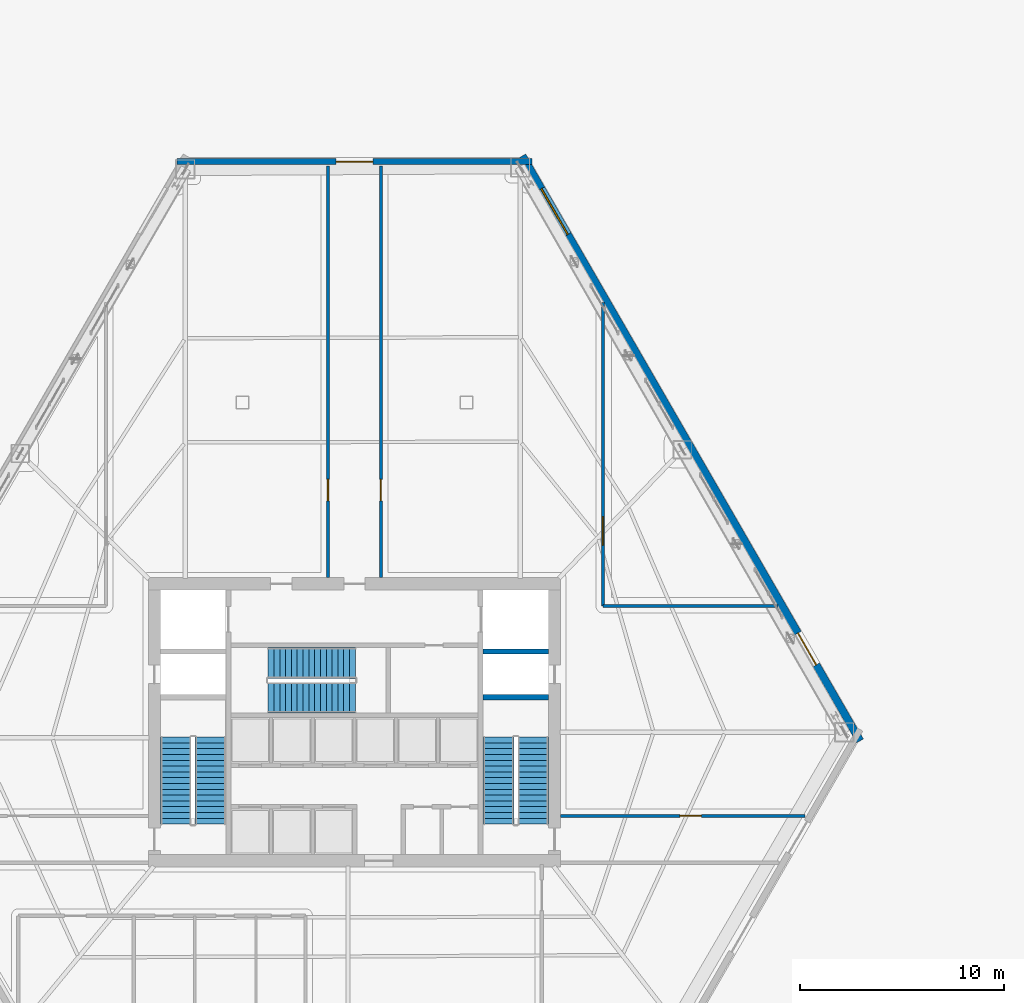
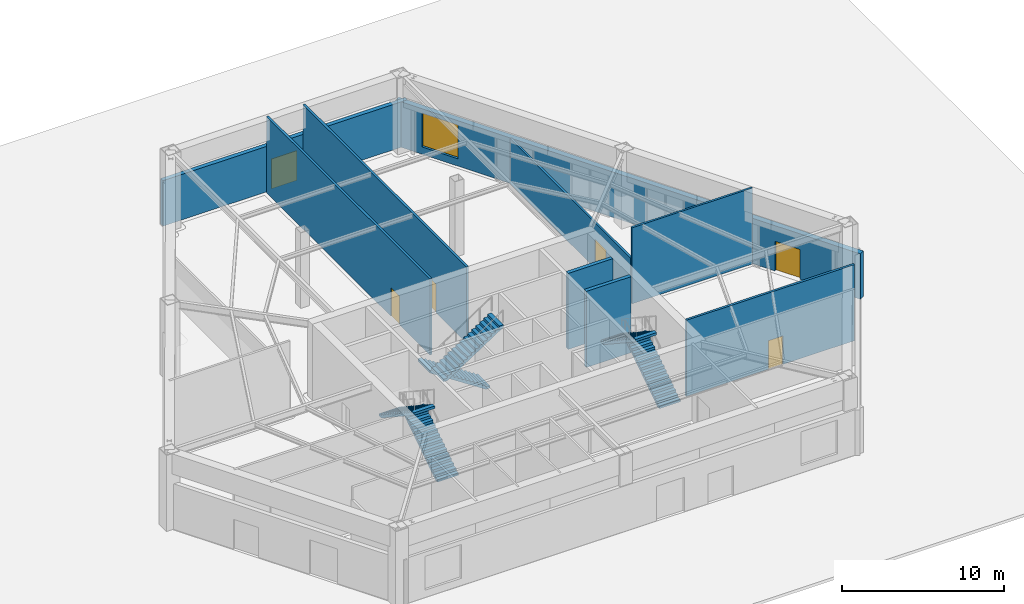
# One storey, part 16 of 20: 9 walls, 6 doors, 6 stair flights, 1 window, 7 openings, 3 elements without a shape of their own.
"""IFC4 building model written with IfcOpenShell, lengths in metres."""

from ifc_helpers import new_model, si_unit, direction, frame, frame_2d, origin, place, context, subcontext, project, spatial, polyline, rectangle, outline, extrude, material, layer, layer_set, type_object, element, fill, aggregate, save


model = new_model("IFC4")

# Units and contexts
model_context = context("Model", 3, precision=1e-05, world=origin(), true_north=direction((0.0, 1.0)))
body_context = subcontext(model_context, "Body", "Model", "MODEL_VIEW")
ifc_project = project(units=[si_unit("LENGTHUNIT", "METRE"), si_unit("AREAUNIT", "SQUARE_METRE"), si_unit("VOLUMEUNIT", "CUBIC_METRE"), si_unit("PLANEANGLEUNIT", "RADIAN"), si_unit("MASSUNIT", "GRAM", prefix="KILO")], contexts=[model_context])

# Site, building, storey
site_placement = place(None, origin())
site = spatial("IfcSite", under=ifc_project, at=site_placement, CompositionType="ELEMENT")
building_placement = place(site_placement, origin())
building = spatial("IfcBuilding", under=site, at=building_placement, Name="Kavelnor Concourse Tower", CompositionType="ELEMENT")
storey_placement = place(building_placement, origin())
storey = spatial("IfcBuildingStorey", under=building, at=storey_placement, Name="L00", CompositionType="ELEMENT", Elevation=0.0)

# Wall, opening, door
ifc_material_1 = material(Name="Buff ironspot clay face brick masonry", Category="masonry")
ifc_layer_1 = layer(ifc_material_1, 0.300048828125, Name="Buff ironspot clay face brick masonry")
ifc_layer_set_1 = layer_set([ifc_layer_1], Name="Buff ironspot clay face brick masonry")
wall_type_1 = type_object("IfcWallType", Name="WL-EXT-BUFF-BRICK-FOLD-300", PredefinedType="STANDARD", material=ifc_layer_set_1)
wall_1_placement = place(storey_placement, frame((29.275634765625, 43.62548828125, 0.0), z_axis=(0.0, 0.0, 1.0), x_axis=(1.0, 0.0, 0.0)))
wall_1 = element("IfcWall", 1, at=wall_1_placement, inside=storey, type_object=wall_type_1, Name="L00 Exterior Brick Facade Wall E0", PredefinedType="STANDARD", context=body_context, shape_type="SweptSolid", body=[
    extrude(rectangle(XDim=17.44873046875, YDim=0.300048828125, at=frame_2d((8.724365234375, 0.0))), origin(), (0.0, 0.0, 1.0), 3.429931640625),
])
opening_1_placement = place(wall_1_placement, frame((7.82421875, 0.0, 0.0)))
opening_1 = element("IfcOpeningElement", 2, at=opening_1_placement, cuts=wall_1, Name="Opening ED-EXIT", PredefinedType="OPENING", context=body_context, shape_type="SweptSolid", body=[
    extrude(rectangle(XDim=1.800048828125, YDim=2.25, at=frame_2d((0.89990234375, 1.125))), frame((0.0, 0.16015625, 0.0), z_axis=(0.0, -1.0, 0.0), x_axis=(1.0, 0.0, 0.0)), (0.0, 0.0, 1.0), 0.320068359375),
])
ifc_material_2 = material(Name="Steel Grade 350", Category="steel")
door_type_1 = type_object("IfcDoorType", Name="DR-FINAL-EXIT-1800", OperationType="NOTDEFINED", PredefinedType="DOOR", material=ifc_material_2)
door_1_placement = place(opening_1_placement, origin())
door_1 = element("IfcDoor", 3, at=door_1_placement, inside=storey, type_object=door_type_1, Name="L00 North Passage Final Exit Door", OperationType="DOUBLE_DOOR_SINGLE_SWING", OverallHeight=2.25, OverallWidth=1.800048828125, PredefinedType="DOOR", context=body_context, shape_type="SweptSolid", body=[
    extrude(rectangle(XDim=1.800048828125, YDim=2.25, at=frame_2d((0.89990234375, 1.125))), frame((0.0, 0.02490234375, 0.0), z_axis=(0.0, -1.0, 0.0), x_axis=(1.0, 0.0, 0.0)), (0.0, 0.0, 1.0), 0.050048828125),
])
fill(opening_1, door_1)

# Wall, openings, door, window
ifc_material_3 = material(Name="Red-ochre clay face brick masonry", Category="masonry")
ifc_layer_2 = layer(ifc_material_3, 0.3798828125, Name="Red-ochre clay face brick masonry")
ifc_layer_set_2 = layer_set([ifc_layer_2], Name="Red-ochre clay face brick masonry")
wall_type_2 = type_object("IfcWallType", Name="WL-EXT-RED-BRICK-PIER-380", PredefinedType="STANDARD", material=ifc_layer_set_2)
wall_2_placement = place(storey_placement, frame((46.242431640625, 43.90380859375, 0.0), z_axis=(0.0, 0.0, 1.0), x_axis=(0.500000109808, -0.866025340387, 0.0)))
wall_2 = element("IfcWall", 4, at=wall_2_placement, inside=storey, type_object=wall_type_2, Name="L00 Exterior Brick Facade Wall E5", PredefinedType="STANDARD", context=body_context, shape_type="SweptSolid", body=[
    extrude(rectangle(XDim=33.16015625, YDim=0.3798828125, at=frame_2d((16.580078125, 0.0))), origin(), (0.0, 0.0, 1.0), 3.429931640625),
])
opening_2_placement = place(wall_2_placement, frame((27.05322265625, 0.0, 0.0)))
opening_2 = element("IfcOpeningElement", 5, at=opening_2_placement, cuts=wall_2, Name="Opening ED-EXIT", PredefinedType="OPENING", context=body_context, shape_type="SweptSolid", body=[
    extrude(rectangle(XDim=1.800048828125, YDim=2.25, at=frame_2d((0.89990234375, 1.125))), frame((0.0, 0.199951171875, 0.0), z_axis=(0.0, -1.0, 0.0), x_axis=(1.0, 0.0, 0.0)), (0.0, 0.0, 1.0), 0.39990234375),
])
opening_3_placement = place(wall_2_placement, frame((1.861083984375, 0.0, 0.550048828125)))
opening_3 = element("IfcOpeningElement", 6, at=opening_3_placement, cuts=wall_2, Name="Opening W-09", PredefinedType="OPENING", context=body_context, shape_type="SweptSolid", body=[
    extrude(rectangle(XDim=2.60009765625, YDim=2.550048828125, at=frame_2d((1.300048828125, 1.27490234375))), frame((0.0, 0.199951171875, 0.0), z_axis=(0.0, -1.0, 0.0), x_axis=(1.0, 0.0, 0.0)), (0.0, 0.0, 1.0), 0.39990234375),
])
door_2_placement = place(opening_2_placement, origin())
door_2 = element("IfcDoor", 7, at=door_2_placement, inside=storey, type_object=door_type_1, Name="L00 North-East Lower Final Exit Door", OperationType="DOUBLE_DOOR_SINGLE_SWING", OverallHeight=2.25, OverallWidth=1.800048828125, PredefinedType="DOOR", context=body_context, shape_type="SweptSolid", body=[
    extrude(rectangle(XDim=1.800048828125, YDim=2.25, at=frame_2d((0.89990234375, 1.125))), frame((0.0, 0.02490234375, 0.0), z_axis=(0.0, -1.0, 0.0), x_axis=(1.0, 0.0, 0.0)), (0.0, 0.0, 1.0), 0.050048828125),
])
fill(opening_2, door_2)
ifc_material_4 = material(Name="Double low-E argon insulated glazing", Category="glass")
window_type = type_object("IfcWindowType", Name="WIN-CONCOURSE-2600", PartitioningType="SINGLE_PANEL", PredefinedType="WINDOW", material=ifc_material_4)
window_placement = place(opening_3_placement, origin())
window = element("IfcWindow", 8, at=window_placement, inside=storey, type_object=window_type, Name="L00 Concourse Deep-Set Window F2-B5", OverallHeight=2.550048828125, OverallWidth=2.60009765625, PartitioningType="SINGLE_PANEL", PredefinedType="WINDOW", context=body_context, shape_type="SweptSolid", body=[
    extrude(rectangle(XDim=2.60009765625, YDim=2.550048828125, at=frame_2d((1.300048828125, 1.27490234375))), frame((0.0, 0.030029296875, 0.0), z_axis=(0.0, -1.0, 0.0), x_axis=(1.0, 0.0, 0.0)), (0.0, 0.0, 1.0), 0.06005859375),
])
fill(opening_3, window)

# Wall, opening, door
ifc_material_5 = material(Name="Gypsum plasterboard on light-gauge steel studs", Category="steel")
ifc_layer_3 = layer(ifc_material_5, 0.14501953125, Name="Gypsum plasterboard on light-gauge steel studs")
ifc_layer_set_3 = layer_set([ifc_layer_3], Name="Gypsum plasterboard on light-gauge steel studs")
wall_type_3 = type_object("IfcWallType", Name="WL-INT-CORR-145", PredefinedType="PARTITIONING", material=ifc_layer_set_3)
wall_3_placement = place(storey_placement, frame((50.199951171875, 21.800048828125, 0.0), z_axis=(0.0, 0.0, 1.0), x_axis=(0.0, 1.0, 0.0)))
wall_3 = element("IfcWall", 9, at=wall_3_placement, inside=storey, type_object=wall_type_3, Name="L00 Partition WL-L00-CAF-W", PredefinedType="PARTITIONING", context=body_context, shape_type="SweptSolid", body=[
    extrude(rectangle(XDim=14.89892578125, YDim=0.14501953125, at=frame_2d((7.449462890625, 0.0))), origin(), (0.0, 0.0, 1.0), 3.43505859375),
])
opening_4_placement = place(wall_3_placement, frame((3.0, 0.0, 0.0)))
opening_4 = element("IfcOpeningElement", 10, at=opening_4_placement, cuts=wall_3, Name="Opening SD-140", PredefinedType="OPENING", context=body_context, shape_type="SweptSolid", body=[
    extrude(rectangle(XDim=1.39990234375, YDim=2.199951171875, at=frame_2d((0.699951171875, 1.10009765625))), frame((0.0, 0.08251953125, 0.0), z_axis=(0.0, -1.0, 0.0), x_axis=(1.0, 0.0, 0.0)), (0.0, 0.0, 1.0), 0.1650390625),
])
ifc_material_6 = material(Name="Solid-core hardwood timber", Category="wood")
door_type_2 = type_object("IfcDoorType", Name="DR-SUITE-ENTRY-1400", OperationType="NOTDEFINED", PredefinedType="DOOR", material=ifc_material_6)
door_3_placement = place(opening_4_placement, origin())
door_3 = element("IfcDoor", 11, at=door_3_placement, inside=storey, type_object=door_type_2, Name="L00 Concourse Cafe Door", OperationType="SINGLE_SWING_LEFT", OverallHeight=2.199951171875, OverallWidth=1.39990234375, PredefinedType="DOOR", context=body_context, shape_type="SweptSolid", body=[
    extrude(rectangle(XDim=1.39990234375, YDim=2.199951171875, at=frame_2d((0.699951171875, 1.10009765625))), frame((0.0, 0.02490234375, 0.0), z_axis=(0.0, -1.0, 0.0), x_axis=(1.0, 0.0, 0.0)), (0.0, 0.0, 1.0), 0.050048828125),
])
fill(opening_4, door_3)

# Wall
wall_4_placement = place(storey_placement, frame((50.199951171875, 21.800048828125, 0.0), z_axis=(0.0, 0.0, 1.0), x_axis=(1.0, 0.0, 0.0)))
element("IfcWall", 12, at=wall_4_placement, inside=storey, type_object=wall_type_3, Name="L00 Partition WL-L00-CAF-S", PredefinedType="PARTITIONING", context=body_context, shape_type="SweptSolid", body=[
    extrude(rectangle(XDim=8.60205078125, YDim=0.14501953125, at=frame_2d((4.301025390625, 0.0))), origin(), (0.0, 0.0, 1.0), 5.739990234375),
])

# Wall, opening, door
ifc_layer_4 = layer(ifc_material_5, 0.1650390625, Name="Gypsum plasterboard on light-gauge steel studs")
ifc_layer_set_4 = layer_set([ifc_layer_4], Name="Gypsum plasterboard on light-gauge steel studs")
wall_type_4 = type_object("IfcWallType", Name="WL-INT-FIRE-165", PredefinedType="PARTITIONING", material=ifc_layer_set_4)
wall_5_placement = place(storey_placement, frame((48.1201171875, 11.5, 0.0), z_axis=(0.0, 0.0, 1.0), x_axis=(1.0, 0.0, 0.0)))
wall_5 = element("IfcWall", 13, at=wall_5_placement, inside=storey, type_object=wall_type_4, Name="L00 Fire Exit Passage Wall WL-L00-EXE-N", PredefinedType="PARTITIONING", context=body_context, shape_type="SweptSolid", body=[
    extrude(rectangle(XDim=12.01025390625, YDim=0.1650390625, at=frame_2d((6.005126953125, 0.0))), origin(), (0.0, 0.0, 1.0), 5.739990234375),
])
opening_5_placement = place(wall_5_placement, frame((5.85498046875, 0.0, 0.0)))
opening_5 = element("IfcOpeningElement", 14, at=opening_5_placement, cuts=wall_5, Name="Opening FD-105", PredefinedType="OPENING", context=body_context, shape_type="SweptSolid", body=[
    extrude(rectangle(XDim=1.050048828125, YDim=2.14990234375, at=frame_2d((0.52490234375, 1.074951171875))), frame((0.0, 0.092529296875, 0.0), z_axis=(0.0, -1.0, 0.0), x_axis=(1.0, 0.0, 0.0)), (0.0, 0.0, 1.0), 0.18505859375),
])
door_type_3 = type_object("IfcDoorType", Name="DR-LOBBY-FIRE-1050", OperationType="NOTDEFINED", PredefinedType="DOOR", material=ifc_material_2)
door_4_placement = place(opening_5_placement, origin())
door_4 = element("IfcDoor", 15, at=door_4_placement, inside=storey, type_object=door_type_3, Name="L00 East Concourse Exit Passage Door", OperationType="SINGLE_SWING_LEFT", OverallHeight=2.14990234375, OverallWidth=1.050048828125, PredefinedType="DOOR", context=body_context, shape_type="SweptSolid", body=[
    extrude(rectangle(XDim=1.050048828125, YDim=2.14990234375, at=frame_2d((0.52490234375, 1.074951171875))), frame((0.0, 0.02490234375, 0.0), z_axis=(0.0, -1.0, 0.0), x_axis=(1.0, 0.0, 0.0)), (0.0, 0.0, 1.0), 0.050048828125),
])
fill(opening_5, door_4)

wall_6_placement = place(storey_placement, frame((36.699951171875, 23.199951171875, 0.0), z_axis=(0.0, 0.0, 1.0), x_axis=(0.0, 1.0, 0.0)))
wall_6 = element("IfcWall", 16, at=wall_6_placement, inside=storey, type_object=wall_type_4, Name="L00 Fire Exit Passage Wall WL-L00-EXN-W", PredefinedType="PARTITIONING", context=body_context, shape_type="SweptSolid", body=[
    extrude(rectangle(XDim=20.215576171875, YDim=0.1650390625, at=frame_2d((10.10791015625, 0.0))), origin(), (0.0, 0.0, 1.0), 5.739990234375),
])
opening_6_placement = place(wall_6_placement, frame((3.77490234375, 0.0, 0.0)))
opening_6 = element("IfcOpeningElement", 17, at=opening_6_placement, cuts=wall_6, Name="Opening FD-105", PredefinedType="OPENING", context=body_context, shape_type="SweptSolid", body=[
    extrude(rectangle(XDim=1.050048828125, YDim=2.14990234375, at=frame_2d((0.52490234375, 1.074951171875))), frame((0.0, 0.092529296875, 0.0), z_axis=(0.0, -1.0, 0.0), x_axis=(1.0, 0.0, 0.0)), (0.0, 0.0, 1.0), 0.18505859375),
])
door_5_placement = place(opening_6_placement, origin())
door_5 = element("IfcDoor", 18, at=door_5_placement, inside=storey, type_object=door_type_3, Name="L00 North-West Concourse Exit Passage Door", OperationType="SINGLE_SWING_LEFT", OverallHeight=2.14990234375, OverallWidth=1.050048828125, PredefinedType="DOOR", context=body_context, shape_type="SweptSolid", body=[
    extrude(rectangle(XDim=1.050048828125, YDim=2.14990234375, at=frame_2d((0.52490234375, 1.074951171875))), frame((0.0, 0.02490234375, 0.0), z_axis=(0.0, -1.0, 0.0), x_axis=(1.0, 0.0, 0.0)), (0.0, 0.0, 1.0), 0.050048828125),
])
fill(opening_6, door_5)

wall_7_placement = place(storey_placement, frame((39.300048828125, 43.41552734375, 0.0), z_axis=(0.0, 0.0, 1.0), x_axis=(0.0, -1.0, 0.0)))
wall_7 = element("IfcWall", 19, at=wall_7_placement, inside=storey, type_object=wall_type_4, Name="L00 Fire Exit Passage Wall WL-L00-EXN-E", PredefinedType="PARTITIONING", context=body_context, shape_type="SweptSolid", body=[
    extrude(rectangle(XDim=20.215576171875, YDim=0.1650390625, at=frame_2d((10.10791015625, 0.0))), origin(), (0.0, 0.0, 1.0), 5.739990234375),
])
opening_7_placement = place(wall_7_placement, frame((15.390380859375, 0.0, 0.0)))
opening_7 = element("IfcOpeningElement", 20, at=opening_7_placement, cuts=wall_7, Name="Opening FD-105", PredefinedType="OPENING", context=body_context, shape_type="SweptSolid", body=[
    extrude(rectangle(XDim=1.050048828125, YDim=2.14990234375, at=frame_2d((0.52490234375, 1.074951171875))), frame((0.0, 0.092529296875, 0.0), z_axis=(0.0, -1.0, 0.0), x_axis=(1.0, 0.0, 0.0)), (0.0, 0.0, 1.0), 0.18505859375),
])
door_6_placement = place(opening_7_placement, origin())
door_6 = element("IfcDoor", 21, at=door_6_placement, inside=storey, type_object=door_type_3, Name="L00 North-East Concourse Exit Passage Door", OperationType="SINGLE_SWING_RIGHT", OverallHeight=2.14990234375, OverallWidth=1.050048828125, PredefinedType="DOOR", context=body_context, shape_type="SweptSolid", body=[
    extrude(rectangle(XDim=1.050048828125, YDim=2.14990234375, at=frame_2d((0.52490234375, 1.074951171875))), frame((0.0, 0.02490234375, 0.0), z_axis=(0.0, -1.0, 0.0), x_axis=(1.0, 0.0, 0.0)), (0.0, 0.0, 1.0), 0.050048828125),
])
fill(opening_7, door_6)

# Walls
ifc_material_7 = material(Name="Concrete C50/60", Category="concrete")
ifc_layer_5 = layer(ifc_material_7, 0.260009765625, Name="Concrete C50/60")
ifc_layer_set_5 = layer_set([ifc_layer_5], Name="Concrete C50/60")
wall_type_5 = type_object("IfcWallType", Name="WL-SHAFT-260", PredefinedType="SHEAR", material=ifc_layer_set_5)
for number, where, z_axis, x_axis, name in (
    (22, (44.320068359375, 17.330078125, 0.0), (0.0, 0.0, 1.0), (1.0, 0.0, 0.0), "L00 Stair ST2 North Shaft Wall"),
    (23, (44.320068359375, 19.570068359375, 0.0), (0.0, 0.0, 1.0), (1.0, 0.0, 0.0), "L00 Emergency Lift FL2 South Shaft Wall"),
):
    element("IfcWall", number, at=place(storey_placement, frame(where, z_axis=z_axis, x_axis=x_axis)), inside=storey, type_object=wall_type_5, Name=name, PredefinedType="SHEAR", context=body_context, shape_type="SweptSolid", body=[
        extrude(rectangle(XDim=3.199951171875, YDim=0.260009765625, at=frame_2d((1.60009765625, 0.0))), origin(), (0.0, 0.0, 1.0), 5.739990234375),
    ])

# Stair, stair flights
ifc_material_8 = material(Name="Concrete C40/50", Category="concrete")
stair_type = type_object("IfcStairType", Name="STR-CORE-1500", PredefinedType="HALF_TURN_STAIR", material=ifc_material_8)
stair_1_placement = place(storey_placement, origin())
stair_1 = element("IfcStair", 24, at=stair_1_placement, inside=storey, type_object=stair_type, Name="L00 ST1", PredefinedType="HALF_TURN_STAIR")
stair_flight_type = type_object("IfcStairFlightType", Name="STR-FLIGHT-1500", PredefinedType="STRAIGHT", material=ifc_material_8)
stair_flight_1_placement = place(storey_placement, frame((30.929931640625, 11.10009765625, 0.0), z_axis=(0.0, 0.0, 1.0), x_axis=(0.0, 1.0, 0.0)))
stair_flight_1 = element("IfcStairFlight", 25, at=stair_flight_1_placement, type_object=stair_flight_type, Name="ST1 flight 1", NumberOfRisers=16, NumberOfTreads=15, PredefinedType="STRAIGHT", RiserHeight=0.1875, TreadLength=0.285, context=body_context, shape_type="SweptSolid", body=[
    extrude(outline(polyline([(0.0, 0.0), (0.0, 0.1875), (0.284912109375, 0.1875), (0.284912109375, 0.375), (0.570068359375, 0.375), (0.570068359375, 0.5625), (0.85498046875, 0.5625), (0.85498046875, 0.75), (1.139892578125, 0.75), (1.139892578125, 0.9375), (1.425048828125, 0.9375), (1.425048828125, 1.125), (1.7099609375, 1.125), (1.7099609375, 1.3125), (1.9951171875, 1.3125), (1.9951171875, 1.5), (2.280029296875, 1.5), (2.280029296875, 1.6875), (2.56494140625, 1.6875), (2.56494140625, 1.875), (2.85009765625, 1.875), (2.85009765625, 2.0625), (3.135009765625, 2.0625), (3.135009765625, 2.25), (3.419921875, 2.25), (3.419921875, 2.4375), (3.705078125, 2.4375), (3.705078125, 2.625), (3.989990234375, 2.625), (3.989990234375, 2.8125), (4.27490234375, 2.8125), (4.27490234375, 3.0), (4.27490234375, 2.633056640625), (0.272705078125, 0.0), (0.0, 0.0)])), frame((0.0, 0.75, 0.0), z_axis=(0.0, -1.0, 0.0), x_axis=(1.0, 0.0, 0.0)), (0.0, 0.0, 1.0), 1.5),
])
stair_flight_2_placement = place(storey_placement, frame((29.22998046875, 15.375, 3.0), z_axis=(0.0, 0.0, 1.0), x_axis=(0.0, -1.0, 0.0)))
stair_flight_2 = element("IfcStairFlight", 26, at=stair_flight_2_placement, type_object=stair_flight_type, Name="ST1 flight 2", NumberOfRisers=16, NumberOfTreads=15, PredefinedType="STRAIGHT", RiserHeight=0.1875, TreadLength=0.285, context=body_context, shape_type="SweptSolid", body=[
    extrude(outline(polyline([(0.0, 0.0), (0.0, 0.1875), (0.284912109375, 0.1875), (0.284912109375, 0.375), (0.570068359375, 0.375), (0.570068359375, 0.5625), (0.85498046875, 0.5625), (0.85498046875, 0.75), (1.139892578125, 0.75), (1.139892578125, 0.9375), (1.425048828125, 0.9375), (1.425048828125, 1.125), (1.7099609375, 1.125), (1.7099609375, 1.3125), (1.9951171875, 1.3125), (1.9951171875, 1.5), (2.280029296875, 1.5), (2.280029296875, 1.6875), (2.56494140625, 1.6875), (2.56494140625, 1.875), (2.85009765625, 1.875), (2.85009765625, 2.0625), (3.135009765625, 2.0625), (3.135009765625, 2.25), (3.419921875, 2.25), (3.419921875, 2.4375), (3.705078125, 2.4375), (3.705078125, 2.625), (3.989990234375, 2.625), (3.989990234375, 2.8125), (4.27490234375, 2.8125), (4.27490234375, 3.0), (4.27490234375, 2.633056640625), (0.272705078125, 0.0), (0.0, 0.0)])), frame((0.0, 0.75, 0.0), z_axis=(0.0, -1.0, 0.0), x_axis=(1.0, 0.0, 0.0)), (0.0, 0.0, 1.0), 1.5),
])
aggregate(stair_1, [stair_flight_1, stair_flight_2])

stair_2_placement = place(storey_placement, origin())
stair_2 = element("IfcStair", 27, at=stair_2_placement, inside=storey, type_object=stair_type, Name="L00 ST2", PredefinedType="HALF_TURN_STAIR")
stair_flight_3_placement = place(storey_placement, frame((46.77001953125, 11.10009765625, 0.0), z_axis=(0.0, 0.0, 1.0), x_axis=(0.0, 1.0, 0.0)))
stair_flight_3 = element("IfcStairFlight", 28, at=stair_flight_3_placement, type_object=stair_flight_type, Name="ST2 flight 1", NumberOfRisers=16, NumberOfTreads=15, PredefinedType="STRAIGHT", RiserHeight=0.1875, TreadLength=0.285, context=body_context, shape_type="SweptSolid", body=[
    extrude(outline(polyline([(0.0, 0.0), (0.0, 0.1875), (0.284912109375, 0.1875), (0.284912109375, 0.375), (0.570068359375, 0.375), (0.570068359375, 0.5625), (0.85498046875, 0.5625), (0.85498046875, 0.75), (1.139892578125, 0.75), (1.139892578125, 0.9375), (1.425048828125, 0.9375), (1.425048828125, 1.125), (1.7099609375, 1.125), (1.7099609375, 1.3125), (1.9951171875, 1.3125), (1.9951171875, 1.5), (2.280029296875, 1.5), (2.280029296875, 1.6875), (2.56494140625, 1.6875), (2.56494140625, 1.875), (2.85009765625, 1.875), (2.85009765625, 2.0625), (3.135009765625, 2.0625), (3.135009765625, 2.25), (3.419921875, 2.25), (3.419921875, 2.4375), (3.705078125, 2.4375), (3.705078125, 2.625), (3.989990234375, 2.625), (3.989990234375, 2.8125), (4.27490234375, 2.8125), (4.27490234375, 3.0), (4.27490234375, 2.633056640625), (0.272705078125, 0.0), (0.0, 0.0)])), frame((0.0, 0.75, 0.0), z_axis=(0.0, -1.0, 0.0), x_axis=(1.0, 0.0, 0.0)), (0.0, 0.0, 1.0), 1.5),
])
stair_flight_4_placement = place(storey_placement, frame((45.070068359375, 15.375, 3.0), z_axis=(0.0, 0.0, 1.0), x_axis=(0.0, -1.0, 0.0)))
stair_flight_4 = element("IfcStairFlight", 29, at=stair_flight_4_placement, type_object=stair_flight_type, Name="ST2 flight 2", NumberOfRisers=16, NumberOfTreads=15, PredefinedType="STRAIGHT", RiserHeight=0.1875, TreadLength=0.285, context=body_context, shape_type="SweptSolid", body=[
    extrude(outline(polyline([(0.0, 0.0), (0.0, 0.1875), (0.284912109375, 0.1875), (0.284912109375, 0.375), (0.570068359375, 0.375), (0.570068359375, 0.5625), (0.85498046875, 0.5625), (0.85498046875, 0.75), (1.139892578125, 0.75), (1.139892578125, 0.9375), (1.425048828125, 0.9375), (1.425048828125, 1.125), (1.7099609375, 1.125), (1.7099609375, 1.3125), (1.9951171875, 1.3125), (1.9951171875, 1.5), (2.280029296875, 1.5), (2.280029296875, 1.6875), (2.56494140625, 1.6875), (2.56494140625, 1.875), (2.85009765625, 1.875), (2.85009765625, 2.0625), (3.135009765625, 2.0625), (3.135009765625, 2.25), (3.419921875, 2.25), (3.419921875, 2.4375), (3.705078125, 2.4375), (3.705078125, 2.625), (3.989990234375, 2.625), (3.989990234375, 2.8125), (4.27490234375, 2.8125), (4.27490234375, 3.0), (4.27490234375, 2.633056640625), (0.272705078125, 0.0), (0.0, 0.0)])), frame((0.0, 0.75, 0.0), z_axis=(0.0, -1.0, 0.0), x_axis=(1.0, 0.0, 0.0)), (0.0, 0.0, 1.0), 1.5),
])
aggregate(stair_2, [stair_flight_3, stair_flight_4])

stair_3_placement = place(storey_placement, origin())
stair_3 = element("IfcStair", 30, at=stair_3_placement, inside=storey, type_object=stair_type, Name="L00 ST3", PredefinedType="HALF_TURN_STAIR")
stair_flight_5_placement = place(storey_placement, frame((38.0400390625, 19.010009765625, 0.0), z_axis=(0.0, 0.0, 1.0), x_axis=(-1.0, 0.0, 0.0)))
stair_flight_5 = element("IfcStairFlight", 31, at=stair_flight_5_placement, type_object=stair_flight_type, Name="ST3 flight 1", NumberOfRisers=16, NumberOfTreads=15, PredefinedType="STRAIGHT", RiserHeight=0.1875, TreadLength=0.285, context=body_context, shape_type="SweptSolid", body=[
    extrude(outline(polyline([(0.0, 0.0), (0.0, 0.1875), (0.284912109375, 0.1875), (0.284912109375, 0.375), (0.570068359375, 0.375), (0.570068359375, 0.5625), (0.85498046875, 0.5625), (0.85498046875, 0.75), (1.139892578125, 0.75), (1.139892578125, 0.9375), (1.425048828125, 0.9375), (1.425048828125, 1.125), (1.7099609375, 1.125), (1.7099609375, 1.3125), (1.9951171875, 1.3125), (1.9951171875, 1.5), (2.280029296875, 1.5), (2.280029296875, 1.6875), (2.56494140625, 1.6875), (2.56494140625, 1.875), (2.85009765625, 1.875), (2.85009765625, 2.0625), (3.135009765625, 2.0625), (3.135009765625, 2.25), (3.419921875, 2.25), (3.419921875, 2.4375), (3.705078125, 2.4375), (3.705078125, 2.625), (3.989990234375, 2.625), (3.989990234375, 2.8125), (4.27490234375, 2.8125), (4.27490234375, 3.0), (4.27490234375, 2.633056640625), (0.272705078125, 0.0), (0.0, 0.0)])), frame((0.0, 0.75, 0.0), z_axis=(0.0, -1.0, 0.0), x_axis=(1.0, 0.0, 0.0)), (0.0, 0.0, 1.0), 1.5),
])
stair_flight_6_placement = place(storey_placement, frame((33.764892578125, 17.31005859375, 3.0), z_axis=(0.0, 0.0, 1.0), x_axis=(1.0, 0.0, 0.0)))
stair_flight_6 = element("IfcStairFlight", 32, at=stair_flight_6_placement, type_object=stair_flight_type, Name="ST3 flight 2", NumberOfRisers=16, NumberOfTreads=15, PredefinedType="STRAIGHT", RiserHeight=0.1875, TreadLength=0.285, context=body_context, shape_type="SweptSolid", body=[
    extrude(outline(polyline([(0.0, 0.0), (0.0, 0.1875), (0.284912109375, 0.1875), (0.284912109375, 0.375), (0.570068359375, 0.375), (0.570068359375, 0.5625), (0.85498046875, 0.5625), (0.85498046875, 0.75), (1.139892578125, 0.75), (1.139892578125, 0.9375), (1.425048828125, 0.9375), (1.425048828125, 1.125), (1.7099609375, 1.125), (1.7099609375, 1.3125), (1.9951171875, 1.3125), (1.9951171875, 1.5), (2.280029296875, 1.5), (2.280029296875, 1.6875), (2.56494140625, 1.6875), (2.56494140625, 1.875), (2.85009765625, 1.875), (2.85009765625, 2.0625), (3.135009765625, 2.0625), (3.135009765625, 2.25), (3.419921875, 2.25), (3.419921875, 2.4375), (3.705078125, 2.4375), (3.705078125, 2.625), (3.989990234375, 2.625), (3.989990234375, 2.8125), (4.27490234375, 2.8125), (4.27490234375, 3.0), (4.27490234375, 2.633056640625), (0.272705078125, 0.0), (0.0, 0.0)])), frame((0.0, 0.75, 0.0), z_axis=(0.0, -1.0, 0.0), x_axis=(1.0, 0.0, 0.0)), (0.0, 0.0, 1.0), 1.5),
])
aggregate(stair_3, [stair_flight_5, stair_flight_6])

save(model, "model.ifc")
